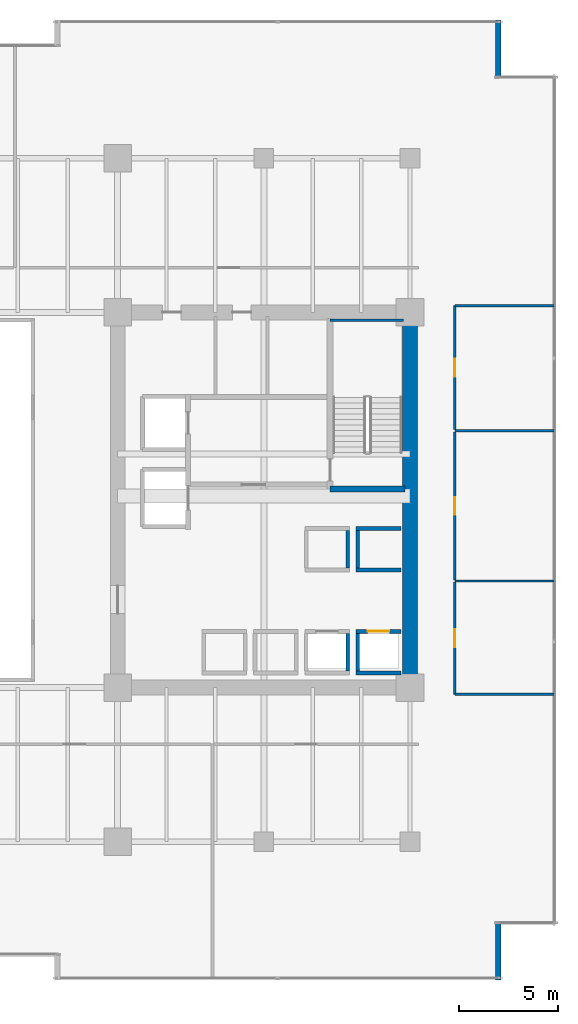
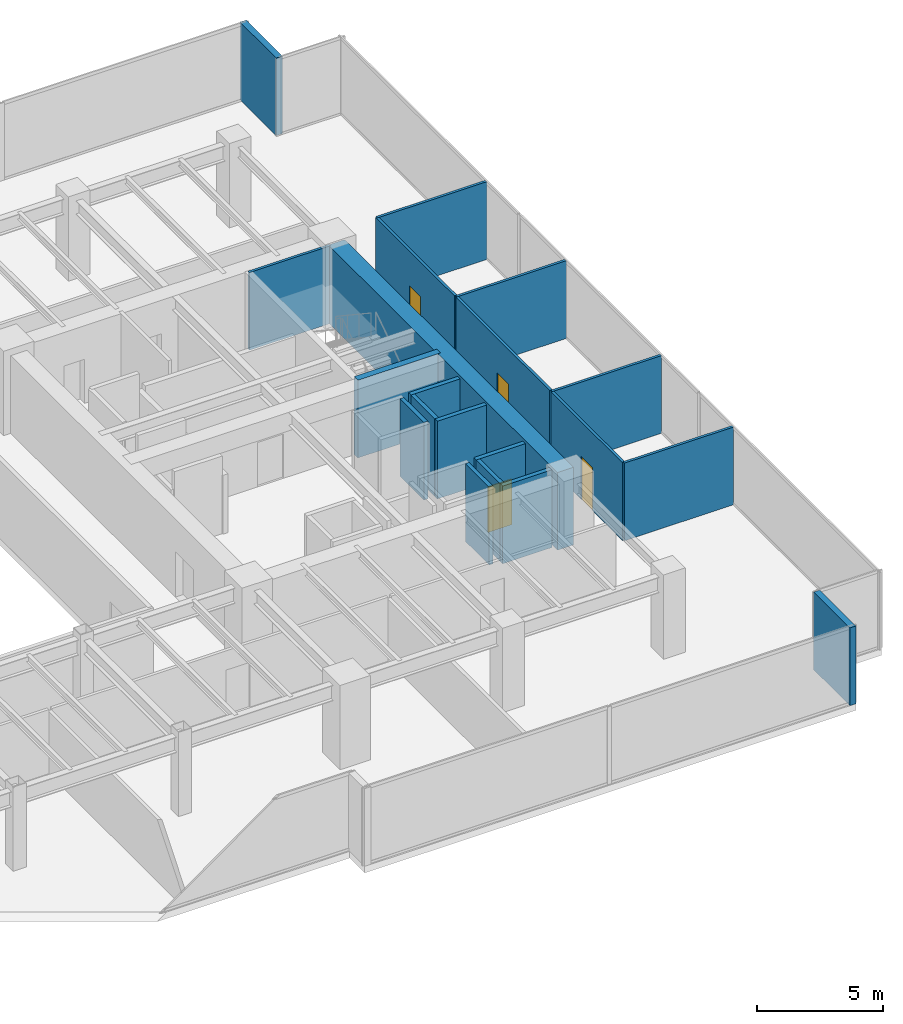
# One storey, part 32 of 35: 20 walls, 4 doors, 4 openings.
"""IFC4 building model written with IfcOpenShell, lengths in metres."""

from ifc_helpers import new_model, si_unit, direction, frame, frame_2d, origin, place, context, subcontext, project, spatial, rectangle, extrude, source, transform, mapped, material, layer, layer_set, type_object, type_shapes, element, fill, save


model = new_model("IFC4")

# Units and contexts
model_context = context("Model", 3, precision=1e-05, world=origin(), true_north=direction((0.0, 1.0)))
body_context = subcontext(model_context, "Body", "Model", "MODEL_VIEW")
ifc_project = project(units=[si_unit("LENGTHUNIT", "METRE"), si_unit("AREAUNIT", "SQUARE_METRE"), si_unit("VOLUMEUNIT", "CUBIC_METRE"), si_unit("PLANEANGLEUNIT", "RADIAN"), si_unit("MASSUNIT", "GRAM", prefix="KILO")], contexts=[model_context])

# Site, building, storey
site_placement = place(None, origin())
site = spatial("IfcSite", under=ifc_project, at=site_placement, CompositionType="ELEMENT")
building_placement = place(site_placement, origin())
building = spatial("IfcBuilding", under=site, at=building_placement, Name="Haelvirn Gate Laboratories", CompositionType="ELEMENT")
storey_placement = place(building_placement, frame((0.0, 0.0, 86.699951171875)))
storey = spatial("IfcBuildingStorey", under=building, at=storey_placement, Name="L21", CompositionType="ELEMENT", Elevation=86.699951171875)

# Walls
ifc_material_1 = material(Name="Thermally-broken bronze aluminium rainscreen & mineral wool", Category="aluminium")
ifc_layer_1 = layer(ifc_material_1, 0.280029296875, Name="EW-TERR-280")
ifc_layer_set_1 = layer_set([ifc_layer_1], Name="Thermally-broken bronze aluminium rainscreen & mineral wool")
wall_type_1 = type_object("IfcWallType", Name="EW-TERR-280", PredefinedType="STANDARD", material=ifc_layer_set_1)
wall_1_placement = place(storey_placement, frame((71.860107421875, 0.0, 0.0), z_axis=(0.0, 0.0, 1.0), x_axis=(0.0, 1.0, 0.0)))
element("IfcWall", 1, at=wall_1_placement, inside=storey, type_object=wall_type_1, Name="L21 Atrium Recess Bronze Return Wall 05", PredefinedType="STANDARD", context=body_context, shape_type="SweptSolid", body=[
    extrude(rectangle(XDim=2.887939453125, YDim=0.280029296875, at=frame_2d((1.44384765625, 0.0))), origin(), (0.0, 0.0, 1.0), 3.780029296875),
])
wall_2_placement = place(storey_placement, frame((71.860107421875, 45.7119140625, 0.0), z_axis=(0.0, 0.0, 1.0), x_axis=(0.0, 1.0, 0.0)))
element("IfcWall", 2, at=wall_2_placement, inside=storey, type_object=wall_type_1, Name="L21 Atrium Recess Bronze Return Wall 09", PredefinedType="STANDARD", context=body_context, shape_type="SweptSolid", body=[
    extrude(rectangle(XDim=2.88818359375, YDim=0.280029296875, at=frame_2d((1.444091796875, 0.0))), origin(), (0.0, 0.0, 1.0), 3.780029296875),
])
ifc_material_2 = material(Name="Lightweight acoustic gypsum board partition", Category="gypsum")
ifc_layer_2 = layer(ifc_material_2, 0.1201171875, Name="IW-PART-120")
ifc_layer_set_2 = layer_set([ifc_layer_2], Name="Lightweight acoustic gypsum board partition")
wall_type_2 = type_object("IfcWallType", Name="IW-PART-120", PredefinedType="PARTITIONING", material=ifc_layer_set_2)
for number, where, z_axis, x_axis, name in (
    (3, (69.669921875, 14.465087890625, 0.0), (0.0, 0.0, 1.0), (1.0, 0.0, 0.0), "L21 Interior Wall IW-L21-ECAP-S"),
    (4, (69.669921875, 34.135009765625, 0.0), (0.0, 0.0, 1.0), (1.0, 0.0, 0.0), "L21 Interior Wall IW-L21-ECAP-N"),
):
    element("IfcWall", number, at=place(storey_placement, frame(where, z_axis=z_axis, x_axis=x_axis)), inside=storey, type_object=wall_type_2, Name=name, PredefinedType="PARTITIONING", context=body_context, shape_type="SweptSolid", body=[
        extrude(rectangle(XDim=5.02001953125, YDim=0.1201171875, at=frame_2d((2.510009765625, 0.0))), origin(), (0.0, 0.0, 1.0), 3.780029296875),
    ])

# Wall, opening, door
wall_3_placement = place(storey_placement, frame((69.669921875, 14.465087890625, 0.0), z_axis=(0.0, 0.0, 1.0), x_axis=(0.0, 1.0, 0.0)))
wall_3 = element("IfcWall", 5, at=wall_3_placement, inside=storey, type_object=wall_type_2, Name="L21 Interior Wall IW-L21-EPASS-01", PredefinedType="PARTITIONING", context=body_context, shape_type="SweptSolid", body=[
    extrude(rectangle(XDim=5.6748046875, YDim=0.1201171875, at=frame_2d((2.83740234375, 0.0))), origin(), (0.0, 0.0, 1.0), 3.780029296875),
])
opening_1_placement = place(wall_3_placement, frame((2.387451171875, 0.0, 0.0)))
opening_1 = element("IfcOpeningElement", 6, at=opening_1_placement, cuts=wall_3, Name="Opening D4", PredefinedType="OPENING", context=body_context, shape_type="SweptSolid", body=[
    extrude(rectangle(XDim=0.89990234375, YDim=2.10009765625, at=frame_2d((0.449951171875, 1.050048828125))), frame((0.0, 0.070068359375, 0.0), z_axis=(0.0, -1.0, 0.0), x_axis=(1.0, 0.0, 0.0)), (0.0, 0.0, 1.0), 0.14013671875),
])
ifc_material_3 = material(Name="Glazed aluminium-framed write-up door", Category="aluminium")
door_type_1 = type_object("IfcDoorType", Name="DR-OFF-900", OperationType="NOTDEFINED", PredefinedType="DOOR", material=ifc_material_3)
shared_shape_1 = source(origin(), body_context, "Body", "SweptSolid", [
    extrude(rectangle(XDim=0.89990234375, YDim=2.10009765625, at=frame_2d((0.449951171875, 1.050048828125))), frame((0.0, 0.02490234375, 0.0), z_axis=(0.0, -1.0, 0.0), x_axis=(1.0, 0.0, 0.0)), (0.0, 0.0, 1.0), 0.050048828125),
])
type_shapes(door_type_1, [shared_shape_1])
door_1_placement = place(opening_1_placement, origin())
door_1 = element("IfcDoor", 7, at=door_1_placement, inside=storey, type_object=door_type_1, Name="L21 Proteomics Mass-Spec Laboratory Door E1", OperationType="SINGLE_SWING_LEFT", OverallHeight=2.10009765625, OverallWidth=0.89990234375, PredefinedType="DOOR", context=body_context, shape_type="MappedRepresentation", body=[
    mapped(shared_shape_1, transform((0.0, 0.0, 0.0), scale=1.0)),
])
fill(opening_1, door_1)

# Wall
wall_4_placement = place(storey_placement, frame((69.669921875, 20.199951171875, 0.0), z_axis=(0.0, 0.0, 1.0), x_axis=(1.0, 0.0, 0.0)))
element("IfcWall", 8, at=wall_4_placement, inside=storey, type_object=wall_type_2, Name="L21 Interior Wall IW-L21-EDIV-01", PredefinedType="PARTITIONING", context=body_context, shape_type="SweptSolid", body=[
    extrude(rectangle(XDim=5.02001953125, YDim=0.1201171875, at=frame_2d((2.510009765625, 0.0))), origin(), (0.0, 0.0, 1.0), 3.780029296875),
])

# Wall, opening, door
wall_5_placement = place(storey_placement, frame((69.669921875, 20.260009765625, 0.0), z_axis=(0.0, 0.0, 1.0), x_axis=(0.0, 1.0, 0.0)))
wall_5 = element("IfcWall", 9, at=wall_5_placement, inside=storey, type_object=wall_type_2, Name="L21 Interior Wall IW-L21-EPASS-02", PredefinedType="PARTITIONING", context=body_context, shape_type="SweptSolid", body=[
    extrude(rectangle(XDim=7.47998046875, YDim=0.1201171875, at=frame_2d((3.739990234375, 0.0))), origin(), (0.0, 0.0, 1.0), 3.780029296875),
])
opening_2_placement = place(wall_5_placement, frame((3.2900390625, 0.0, 0.0)))
opening_2 = element("IfcOpeningElement", 10, at=opening_2_placement, cuts=wall_5, Name="Opening D4", PredefinedType="OPENING", context=body_context, shape_type="SweptSolid", body=[
    extrude(rectangle(XDim=0.89990234375, YDim=2.10009765625, at=frame_2d((0.449951171875, 1.050048828125))), frame((0.0, 0.070068359375, 0.0), z_axis=(0.0, -1.0, 0.0), x_axis=(1.0, 0.0, 0.0)), (0.0, 0.0, 1.0), 0.14013671875),
])
door_2_placement = place(opening_2_placement, origin())
door_2 = element("IfcDoor", 11, at=door_2_placement, inside=storey, type_object=door_type_1, Name="L21 Chemical Synthesis Laboratory Door E2", OperationType="SINGLE_SWING_RIGHT", OverallHeight=2.10009765625, OverallWidth=0.89990234375, PredefinedType="DOOR", context=body_context, shape_type="MappedRepresentation", body=[
    mapped(shared_shape_1, transform((0.0, 0.0, 0.0), scale=1.0)),
])
fill(opening_2, door_2)

# Wall
wall_6_placement = place(storey_placement, frame((69.669921875, 27.800048828125, 0.0), z_axis=(0.0, 0.0, 1.0), x_axis=(1.0, 0.0, 0.0)))
element("IfcWall", 12, at=wall_6_placement, inside=storey, type_object=wall_type_2, Name="L21 Interior Wall IW-L21-EDIV-02", PredefinedType="PARTITIONING", context=body_context, shape_type="SweptSolid", body=[
    extrude(rectangle(XDim=5.02001953125, YDim=0.1201171875, at=frame_2d((2.510009765625, 0.0))), origin(), (0.0, 0.0, 1.0), 3.780029296875),
])

# Wall, opening, door
wall_7_placement = place(storey_placement, frame((69.669921875, 27.860107421875, 0.0), z_axis=(0.0, 0.0, 1.0), x_axis=(0.0, 1.0, 0.0)))
wall_7 = element("IfcWall", 13, at=wall_7_placement, inside=storey, type_object=wall_type_2, Name="L21 Interior Wall IW-L21-EPASS-03", PredefinedType="PARTITIONING", context=body_context, shape_type="SweptSolid", body=[
    extrude(rectangle(XDim=6.27490234375, YDim=0.1201171875, at=frame_2d((3.137451171875, 0.0))), origin(), (0.0, 0.0, 1.0), 3.780029296875),
])
opening_3_placement = place(wall_7_placement, frame((2.6875, 0.0, 0.0)))
opening_3 = element("IfcOpeningElement", 14, at=opening_3_placement, cuts=wall_7, Name="Opening D4", PredefinedType="OPENING", context=body_context, shape_type="SweptSolid", body=[
    extrude(rectangle(XDim=0.89990234375, YDim=2.10009765625, at=frame_2d((0.449951171875, 1.050048828125))), frame((0.0, 0.070068359375, 0.0), z_axis=(0.0, -1.0, 0.0), x_axis=(1.0, 0.0, 0.0)), (0.0, 0.0, 1.0), 0.14013671875),
])
door_3_placement = place(opening_3_placement, origin())
door_3 = element("IfcDoor", 15, at=door_3_placement, inside=storey, type_object=door_type_1, Name="L21 Bioprocess Foundry Laboratory Door E3", OperationType="SINGLE_SWING_LEFT", OverallHeight=2.10009765625, OverallWidth=0.89990234375, PredefinedType="DOOR", context=body_context, shape_type="MappedRepresentation", body=[
    mapped(shared_shape_1, transform((0.0, 0.0, 0.0), scale=1.0)),
])
fill(opening_3, door_3)

# Walls
ifc_material_4 = material(Name="Concrete C40/50", Category="concrete")
ifc_layer_3 = layer(ifc_material_4, 0.179931640625, Name="IW-SHAFT-180")
ifc_layer_set_3 = layer_set([ifc_layer_3], Name="Concrete C40/50")
wall_type_3 = type_object("IfcWallType", Name="IW-SHAFT-180", PredefinedType="SOLIDWALL", material=ifc_layer_set_3)
for number, where, z_axis, x_axis, name in (
    (16, (64.75, 15.64990234375, 0.0), (0.0, 0.0, 1.0), (0.0, 1.0, 0.0), "L21 Interior Wall IW-L21-PL3-SD"),
    (17, (64.25, 15.64990234375, 0.0), (0.0, 0.0, 1.0), (0.0, 1.0, 0.0), "L21 Interior Wall IW-L21-PL4-SDE"),
):
    element("IfcWall", number, at=place(storey_placement, frame(where, z_axis=z_axis, x_axis=x_axis)), inside=storey, type_object=wall_type_3, Name=name, PredefinedType="SOLIDWALL", context=body_context, shape_type="SweptSolid", body=[
        extrude(rectangle(XDim=1.900146484375, YDim=0.179931640625, at=frame_2d((0.9501953125, 0.0))), origin(), (0.0, 0.0, 1.0), 3.780029296875),
    ])
for number, where, z_axis, x_axis, name in (
    (18, (64.75, 20.85009765625, 0.0), (0.0, 0.0, 1.0), (0.0, 1.0, 0.0), "L21 Interior Wall IW-L21-PL11-SD"),
    (19, (64.25, 20.85009765625, 0.0), (0.0, 0.0, 1.0), (0.0, 1.0, 0.0), "L21 Interior Wall IW-L21-PL12-SDE"),
):
    element("IfcWall", number, at=place(storey_placement, frame(where, z_axis=z_axis, x_axis=x_axis)), inside=storey, type_object=wall_type_3, Name=name, PredefinedType="SOLIDWALL", context=body_context, shape_type="SweptSolid", body=[
        extrude(rectangle(XDim=1.89990234375, YDim=0.179931640625, at=frame_2d((0.949951171875, 0.0))), origin(), (0.0, 0.0, 1.0), 3.780029296875),
    ])

# Wall, opening, door
ifc_layer_4 = layer(ifc_material_4, 0.199951171875, Name="IW-SHAFT-200")
ifc_layer_set_4 = layer_set([ifc_layer_4], Name="Concrete C40/50")
wall_type_4 = type_object("IfcWallType", Name="IW-SHAFT-200", PredefinedType="SOLIDWALL", material=ifc_layer_set_4)
wall_8_placement = place(storey_placement, frame((64.669921875, 17.64990234375, 0.0), z_axis=(0.0, 0.0, 1.0), x_axis=(1.0, 0.0, 0.0)))
wall_8 = element("IfcWall", 20, at=wall_8_placement, inside=storey, type_object=wall_type_4, Name="L21 Interior Wall IW-L21-PL3-FR", PredefinedType="SOLIDWALL", context=body_context, shape_type="SweptSolid", body=[
    extrude(rectangle(XDim=2.260009765625, YDim=0.199951171875, at=frame_2d((1.1298828125, 0.0))), origin(), (0.0, 0.0, 1.0), 3.780029296875),
])
opening_4_placement = place(wall_8_placement, frame((0.580078125, 0.0, 0.0)))
opening_4 = element("IfcOpeningElement", 21, at=opening_4_placement, cuts=wall_8, Name="Opening LD2", PredefinedType="OPENING", context=body_context, shape_type="SweptSolid", body=[
    extrude(rectangle(XDim=1.10009765625, YDim=2.219970703125, at=frame_2d((0.550048828125, 1.10986328125))), frame((0.0, 0.10986328125, 0.0), z_axis=(0.0, -1.0, 0.0), x_axis=(1.0, 0.0, 0.0)), (0.0, 0.0, 1.0), 0.219970703125),
])
ifc_material_5 = material(Name="Bronze stainless 316L sliding lift landing door")
door_type_2 = type_object("IfcDoorType", Name="DR-LD-1100", OperationType="NOTDEFINED", PredefinedType="USERDEFINED", material=ifc_material_5)
shared_shape_2 = source(origin(), body_context, "Body", "SweptSolid", [
    extrude(rectangle(XDim=1.10009765625, YDim=2.219970703125, at=frame_2d((0.550048828125, 1.10986328125))), frame((0.0, 0.02490234375, 0.0), z_axis=(0.0, -1.0, 0.0), x_axis=(1.0, 0.0, 0.0)), (0.0, 0.0, 1.0), 0.050048828125),
])
type_shapes(door_type_2, [shared_shape_2])
door_4_placement = place(opening_4_placement, origin())
door_4 = element("IfcDoor", 22, at=door_4_placement, inside=storey, type_object=door_type_2, Name="L21 Passenger Lift PL3 Landing Door", ObjectType="LANDING_DOOR", OperationType="SLIDING_TO_LEFT", OverallHeight=2.219970703125, OverallWidth=1.10009765625, PredefinedType="USERDEFINED", context=body_context, shape_type="MappedRepresentation", body=[
    mapped(shared_shape_2, transform((0.0, 0.0, 0.0), scale=1.0)),
])
fill(opening_4, door_4)

# Walls
for number, where, z_axis, x_axis, name in (
    (23, (64.669921875, 15.550048828125, 0.0), (0.0, 0.0, 1.0), (1.0, 0.0, 0.0), "L21 Interior Wall IW-L21-PL3-BK"),
    (24, (64.669921875, 20.75, 0.0), (0.0, 0.0, 1.0), (1.0, 0.0, 0.0), "L21 Interior Wall IW-L21-PL11-FR"),
    (25, (64.669921875, 22.85009765625, 0.0), (0.0, 0.0, 1.0), (1.0, 0.0, 0.0), "L21 Interior Wall IW-L21-PL11-BK"),
):
    element("IfcWall", number, at=place(storey_placement, frame(where, z_axis=z_axis, x_axis=x_axis)), inside=storey, type_object=wall_type_4, Name=name, PredefinedType="SOLIDWALL", context=body_context, shape_type="SweptSolid", body=[
        extrude(rectangle(XDim=2.260009765625, YDim=0.199951171875, at=frame_2d((1.1298828125, 0.0))), origin(), (0.0, 0.0, 1.0), 3.780029296875),
    ])
ifc_material_6 = material(Name="Concrete C70/85", Category="concrete")
ifc_layer_5 = layer(ifc_material_6, 0.75, Name="SW-CORE-750")
ifc_layer_set_5 = layer_set([ifc_layer_5], Name="Concrete C70/85")
wall_type_5 = type_object("IfcWallType", Name="SW-CORE-750", PredefinedType="SHEAR", material=ifc_layer_set_5)
wall_9_placement = place(storey_placement, frame((67.39990234375, 15.175048828125, 0.0), z_axis=(0.0, 0.0, 1.0), x_axis=(0.0, 1.0, 0.0)))
element("IfcWall", 26, at=wall_9_placement, inside=storey, type_object=wall_type_5, Name="L21 E Core Shear Wall E", PredefinedType="SHEAR", context=body_context, shape_type="SweptSolid", body=[
    extrude(rectangle(XDim=18.25, YDim=0.75, at=frame_2d((9.125, 0.0))), origin(), (0.0, 0.0, 1.0), 3.780029296875),
])
ifc_material_7 = material(Name="Concrete C50/60", Category="concrete")
ifc_layer_6 = layer(ifc_material_7, 0.1201171875, Name="SW-LINER-120")
ifc_layer_set_6 = layer_set([ifc_layer_6], Name="Concrete C50/60")
wall_type_6 = type_object("IfcWallType", Name="SW-LINER-120", PredefinedType="SOLIDWALL", material=ifc_layer_set_6)
wall_10_placement = place(storey_placement, frame((63.35009765625, 33.39990234375, 0.0), z_axis=(0.0, 0.0, 1.0), x_axis=(1.0, 0.0, 0.0)))
element("IfcWall", 27, at=wall_10_placement, inside=storey, type_object=wall_type_6, Name="L21 E Core Stair Shaft Liner Wall N", PredefinedType="SOLIDWALL", context=body_context, shape_type="SweptSolid", body=[
    extrude(rectangle(XDim=3.719970703125, YDim=0.1201171875, at=frame_2d((1.85986328125, 0.0))), origin(), (0.0, 0.0, 1.0), 3.780029296875),
])
ifc_layer_7 = layer(ifc_material_7, 0.300048828125, Name="SW-STAIR-300")
ifc_layer_set_7 = layer_set([ifc_layer_7], Name="Concrete C50/60")
wall_type_7 = type_object("IfcWallType", Name="SW-STAIR-300", PredefinedType="SHEAR", material=ifc_layer_set_7)
wall_11_placement = place(storey_placement, frame((63.35009765625, 24.85009765625, 0.0), z_axis=(0.0, 0.0, 1.0), x_axis=(1.0, 0.0, 0.0)))
element("IfcWall", 28, at=wall_11_placement, inside=storey, type_object=wall_type_7, Name="L21 E Core Stair Shaft Structural Wall S", PredefinedType="SHEAR", context=body_context, shape_type="SweptSolid", body=[
    extrude(rectangle(XDim=3.7998046875, YDim=0.300048828125, at=frame_2d((1.89990234375, 0.0))), origin(), (0.0, 0.0, 1.0), 3.780029296875),
])

save(model, "model.ifc")
